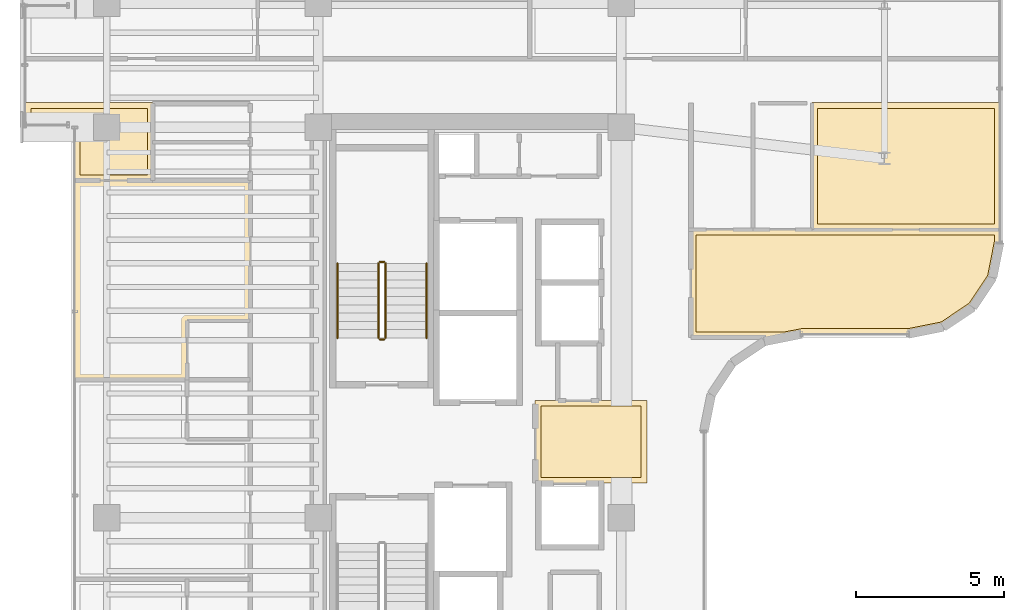
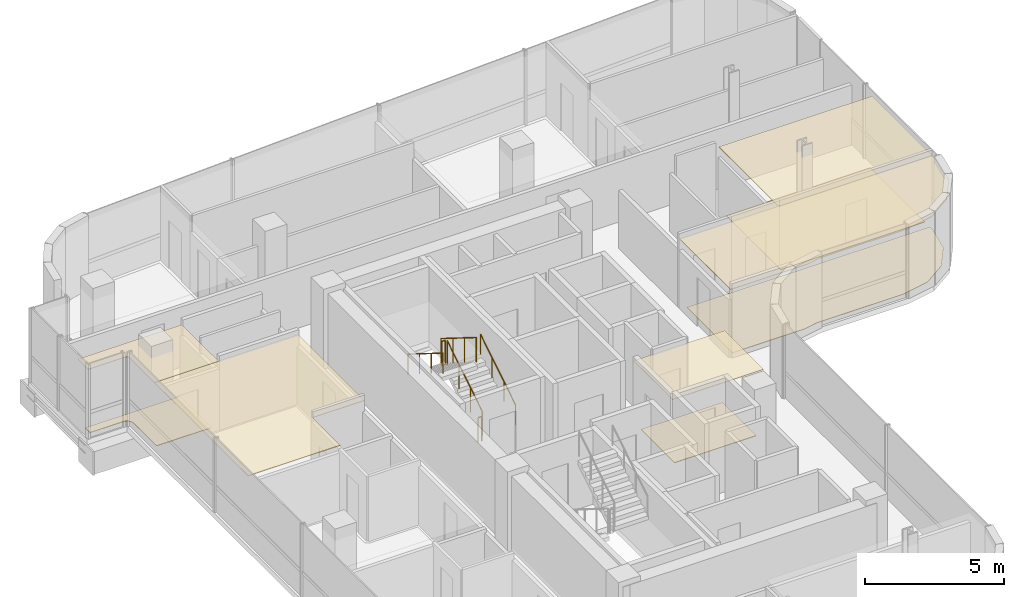
# One storey, part 22 of 23: 9 coverings, 6 railings.
"""IFC4 building model written with IfcOpenShell, lengths in metres."""

from ifc_helpers import new_model, si_unit, direction, frame, origin, origin_2d, place, context, subcontext, project, spatial, polyline, circle, outline, extrude, material, layer, layer_set, type_object, element, save


model = new_model("IFC4")

# Units and contexts
model_context = context("Model", 3, precision=1e-05, world=origin(), true_north=direction((0.0, 1.0)))
body_context = subcontext(model_context, "Body", "Model", "MODEL_VIEW")
ifc_project = project(units=[si_unit("LENGTHUNIT", "METRE"), si_unit("AREAUNIT", "SQUARE_METRE"), si_unit("VOLUMEUNIT", "CUBIC_METRE"), si_unit("PLANEANGLEUNIT", "RADIAN"), si_unit("MASSUNIT", "GRAM", prefix="KILO")], contexts=[model_context])

# Site, building, storey
site_placement = place(None, origin())
site = spatial("IfcSite", under=ifc_project, at=site_placement, CompositionType="ELEMENT")
building_placement = place(site_placement, origin())
building = spatial("IfcBuilding", under=site, at=building_placement, Name="Valdorenza Pilgrim Sanctuary Tower", CompositionType="ELEMENT")
storey_placement = place(building_placement, frame((0.0, 0.0, 226.5)))
storey = spatial("IfcBuildingStorey", under=building, at=storey_placement, Name="L58", CompositionType="ELEMENT", Elevation=226.5)

# Coverings
ifc_material_1 = material(Name="Micro-perforated acoustic mineral ceiling tile", Category="gypsum")
ifc_layer_1 = layer(ifc_material_1, 0.02490234375, Name="Micro-perforated acoustic mineral ceiling tile")
ifc_layer_set_1 = layer_set([ifc_layer_1], Name="Micro-perforated acoustic mineral ceiling tile")
covering_type_1 = type_object("IfcCoveringType", Name="COV-CLG-ACU", PredefinedType="CEILING", material=ifc_layer_set_1)
covering_1_placement = place(storey_placement, frame((0.0, 0.0, 2.9599609375)))
element("IfcCovering", 1, at=covering_1_placement, inside=storey, type_object=covering_type_1, Name="L58 Core A Passenger Lift Lobby Acoustic Ceiling", PredefinedType="CEILING", context=body_context, shape_type="SweptSolid", body=[
    extrude(outline(polyline([(-15.31494140625, 1.35009765625), (-15.31494140625, 1.3515625), (-15.314697265625, 1.352783203125), (-15.314453125, 1.3544921875), (-15.31396484375, 1.355712890625), (-15.313232421875, 1.357177734375), (-15.3125, 1.3583984375), (-15.3115234375, 1.359619140625), (-15.310546875, 1.360595703125), (-15.3095703125, 1.361572265625), (-15.308349609375, 1.362548828125), (-15.30712890625, 1.36328125), (-15.3056640625, 1.364013671875), (-15.304443359375, 1.364501953125), (-15.302978515625, 1.36474609375), (-15.301513671875, 1.364990234375), (-15.300048828125, 1.364990234375), (-11.550048828125, 1.364990234375), (-11.548583984375, 1.364990234375), (-11.547119140625, 1.36474609375), (-11.545654296875, 1.364501953125), (-11.544189453125, 1.364013671875), (-11.54296875, 1.36328125), (-11.541748046875, 1.362548828125), (-11.54052734375, 1.361572265625), (-11.539306640625, 1.360595703125), (-11.538330078125, 1.359619140625), (-11.53759765625, 1.3583984375), (-11.536865234375, 1.357177734375), (-11.5361328125, 1.355712890625), (-11.53564453125, 1.3544921875), (-11.535400390625, 1.352783203125), (-11.53515625, 1.3515625), (-11.534912109375, 1.35009765625), (-11.534912109375, -1.419921875), (-11.53515625, -1.42138671875), (-11.535400390625, -1.4228515625), (-11.53564453125, -1.42431640625), (-11.5361328125, -1.42578125), (-11.536865234375, -1.427001953125), (-11.53759765625, -1.42822265625), (-11.538330078125, -1.429443359375), (-11.539306640625, -1.4306640625), (-11.54052734375, -1.431640625), (-11.541748046875, -1.4326171875), (-11.54296875, -1.43310546875), (-11.544189453125, -1.433837890625), (-11.545654296875, -1.434326171875), (-11.547119140625, -1.434814453125), (-11.548583984375, -1.434814453125), (-11.550048828125, -1.43505859375), (-15.298095703125, -1.43505859375), (-15.299560546875, -1.434814453125), (-15.30078125, -1.434814453125), (-15.302490234375, -1.434326171875), (-15.3037109375, -1.433837890625), (-15.30517578125, -1.43310546875), (-15.306396484375, -1.4326171875), (-15.3076171875, -1.431640625), (-15.30859375, -1.4306640625), (-15.3095703125, -1.429443359375), (-15.310546875, -1.42822265625), (-15.311279296875, -1.427001953125), (-15.31201171875, -1.42578125), (-15.3125, -1.42431640625), (-15.312744140625, -1.4228515625), (-15.31298828125, -1.42138671875), (-15.31298828125, -1.419921875), (-15.31298828125, 1.244384765625), (-15.31298828125, 1.24462890625), (-15.313720703125, 1.24609375), (-15.314208984375, 1.24755859375), (-15.314697265625, 1.2490234375), (-15.31494140625, 1.25048828125), (-15.31494140625, 1.251953125), (-15.31494140625, 1.35009765625)])), origin(), (0.0, 0.0, 1.0), 0.025146484375),
])
covering_2_placement = place(storey_placement, frame((0.0, 0.0, 2.9599609375)))
element("IfcCovering", 2, at=covering_2_placement, inside=storey, type_object=covering_type_1, Name="L58 Pilgrim Scholar Office L58-WN Acoustic Ceiling", PredefinedType="CEILING", context=body_context, shape_type="SweptSolid", body=[
    extrude(outline(polyline([(-28.237060546875, 11.39453125), (-28.237060546875, 10.103759765625), (-28.23681640625, 10.10302734375), (-28.23681640625, 10.1015625), (-28.23681640625, 10.10009765625), (-28.23681640625, 10.098388671875), (-28.237060546875, 10.09814453125), (-28.237060546875, 8.800048828125), (-28.237060546875, 8.798583984375), (-28.2373046875, 8.797119140625), (-28.237548828125, 8.795654296875), (-28.238037109375, 8.794189453125), (-28.23876953125, 8.79296875), (-28.239501953125, 8.791748046875), (-28.240478515625, 8.79052734375), (-28.241455078125, 8.789306640625), (-28.242431640625, 8.788330078125), (-28.24365234375, 8.78759765625), (-28.244873046875, 8.786865234375), (-28.246337890625, 8.7861328125), (-28.24755859375, 8.78564453125), (-28.2490234375, 8.785400390625), (-28.25048828125, 8.78515625), (-28.251953125, 8.784912109375), (-30.889892578125, 8.784912109375), (-30.8916015625, 8.78515625), (-30.892822265625, 8.785400390625), (-30.894287109375, 8.78564453125), (-30.895751953125, 8.7861328125), (-30.897216796875, 8.786865234375), (-30.898193359375, 8.78759765625), (-30.8994140625, 8.788330078125), (-30.900634765625, 8.789306640625), (-30.901611328125, 8.79052734375), (-30.902587890625, 8.791748046875), (-30.9033203125, 8.79296875), (-30.90380859375, 8.794189453125), (-30.904296875, 8.795654296875), (-30.90478515625, 8.797119140625), (-30.90478515625, 8.798583984375), (-30.905029296875, 8.800048828125), (-30.905029296875, 10.599609375), (-30.905517578125, 10.609375), (-30.90673828125, 10.618408203125), (-30.9091796875, 10.627685546875), (-30.912109375, 10.63623046875), (-30.916259765625, 10.644775390625), (-30.9208984375, 10.65283203125), (-30.926513671875, 10.660400390625), (-30.932861328125, 10.667236328125), (-30.939697265625, 10.67333984375), (-30.947265625, 10.678955078125), (-30.955078125, 10.683837890625), (-30.963623046875, 10.687744140625), (-30.972412109375, 10.69091796875), (-30.9814453125, 10.693115234375), (-30.99072265625, 10.694580078125), (-31.00048828125, 10.695068359375), (-32.5400390625, 10.695068359375), (-32.54150390625, 10.695068359375), (-32.54296875, 10.6953125), (-32.54443359375, 10.695556640625), (-32.545654296875, 10.696044921875), (-32.547119140625, 10.69677734375), (-32.54833984375, 10.697509765625), (-32.549560546875, 10.698486328125), (-32.550537109375, 10.699462890625), (-32.551513671875, 10.700439453125), (-32.552490234375, 10.70166015625), (-32.55322265625, 10.702880859375), (-32.553955078125, 10.704345703125), (-32.554443359375, 10.70556640625), (-32.5546875, 10.70703125), (-32.554931640625, 10.70849609375), (-32.554931640625, 10.7099609375), (-32.554931640625, 11.419921875), (-32.554931640625, 11.42138671875), (-32.5546875, 11.4228515625), (-32.554443359375, 11.42431640625), (-32.553955078125, 11.42578125), (-32.55322265625, 11.427001953125), (-32.552490234375, 11.42822265625), (-32.551513671875, 11.429443359375), (-32.550537109375, 11.4306640625), (-32.549560546875, 11.431640625), (-32.54833984375, 11.4326171875), (-32.547119140625, 11.43310546875), (-32.545654296875, 11.433837890625), (-32.54443359375, 11.434326171875), (-32.54296875, 11.434814453125), (-32.54150390625, 11.434814453125), (-32.5400390625, 11.43505859375), (-28.25, 11.43505859375), (-28.24853515625, 11.434814453125), (-28.2470703125, 11.434814453125), (-28.24560546875, 11.434326171875), (-28.244384765625, 11.433837890625), (-28.242919921875, 11.43310546875), (-28.24169921875, 11.4326171875), (-28.240478515625, 11.431640625), (-28.239501953125, 11.4306640625), (-28.23828125, 11.429443359375), (-28.237548828125, 11.42822265625), (-28.23681640625, 11.427001953125), (-28.236083984375, 11.42578125), (-28.235595703125, 11.42431640625), (-28.2353515625, 11.4228515625), (-28.235107421875, 11.42138671875), (-28.235107421875, 11.419921875), (-28.235107421875, 11.402099609375), (-28.235107421875, 11.400390625), (-28.2353515625, 11.39892578125), (-28.235595703125, 11.3974609375), (-28.236083984375, 11.39599609375), (-28.23681640625, 11.394775390625), (-28.237060546875, 11.39453125)])), origin(), (0.0, 0.0, 1.0), 0.025146484375),
])
covering_3_placement = place(storey_placement, frame((0.0, 0.0, 2.9599609375)))
element("IfcCovering", 3, at=covering_3_placement, inside=storey, type_object=covering_type_1, Name="L58 Sanctuary Guest Room L58-W3 Acoustic Ceiling", PredefinedType="CEILING", context=body_context, shape_type="SweptSolid", body=[
    extrude(outline(polyline([(-28.253662109375, 8.81298828125), (-28.253173828125, 8.81298828125), (-28.25146484375, 8.813232421875), (-28.25, 8.813232421875), (-28.24853515625, 8.81298828125), (-28.248291015625, 8.81298828125), (-24.949951171875, 8.81298828125), (-24.948486328125, 8.81298828125), (-24.947021484375, 8.812744140625), (-24.945556640625, 8.8125), (-24.9443359375, 8.81201171875), (-24.94287109375, 8.811279296875), (-24.941650390625, 8.810546875), (-24.9404296875, 8.8095703125), (-24.939453125, 8.80859375), (-24.9384765625, 8.8076171875), (-24.9375, 8.806396484375), (-24.936767578125, 8.80517578125), (-24.93603515625, 8.8037109375), (-24.935546875, 8.802490234375), (-24.935302734375, 8.80078125), (-24.93505859375, 8.799560546875), (-24.93505859375, 8.798095703125), (-24.93505859375, 4.06201171875), (-24.93505859375, 4.060546875), (-24.935302734375, 4.05908203125), (-24.935546875, 4.0576171875), (-24.93603515625, 4.056396484375), (-24.936767578125, 4.054931640625), (-24.9375, 4.0537109375), (-24.9384765625, 4.052490234375), (-24.939453125, 4.051513671875), (-24.9404296875, 4.05029296875), (-24.941650390625, 4.049560546875), (-24.94287109375, 4.048828125), (-24.9443359375, 4.048095703125), (-24.945556640625, 4.047607421875), (-24.947021484375, 4.04736328125), (-24.948486328125, 4.047119140625), (-24.949951171875, 4.047119140625), (-27.074951171875, 4.047119140625), (-27.074951171875, 2.06201171875), (-27.0751953125, 2.060546875), (-27.0751953125, 2.05908203125), (-27.07568359375, 2.0576171875), (-27.076171875, 2.056396484375), (-27.076904296875, 2.054931640625), (-27.077392578125, 2.0537109375), (-27.078369140625, 2.052490234375), (-27.079345703125, 2.051513671875), (-27.08056640625, 2.05029296875), (-27.081787109375, 2.049560546875), (-27.0830078125, 2.048828125), (-27.084228515625, 2.048095703125), (-27.085693359375, 2.047607421875), (-27.087158203125, 2.04736328125), (-27.08837890625, 2.047119140625), (-27.090087890625, 2.047119140625), (-30.889892578125, 2.047119140625), (-30.8916015625, 2.047119140625), (-30.892822265625, 2.04736328125), (-30.894287109375, 2.047607421875), (-30.895751953125, 2.048095703125), (-30.897216796875, 2.048828125), (-30.898193359375, 2.049560546875), (-30.8994140625, 2.05029296875), (-30.900634765625, 2.051513671875), (-30.901611328125, 2.052490234375), (-30.902587890625, 2.0537109375), (-30.9033203125, 2.054931640625), (-30.90380859375, 2.056396484375), (-30.904296875, 2.0576171875), (-30.90478515625, 2.05908203125), (-30.90478515625, 2.060546875), (-30.905029296875, 2.06201171875), (-30.905029296875, 8.798095703125), (-30.90478515625, 8.799560546875), (-30.90478515625, 8.80078125), (-30.904296875, 8.802490234375), (-30.90380859375, 8.8037109375), (-30.9033203125, 8.80517578125), (-30.902587890625, 8.806396484375), (-30.901611328125, 8.8076171875), (-30.900634765625, 8.80859375), (-30.8994140625, 8.8095703125), (-30.898193359375, 8.810546875), (-30.897216796875, 8.811279296875), (-30.895751953125, 8.81201171875), (-30.894287109375, 8.8125), (-30.892822265625, 8.812744140625), (-30.8916015625, 8.81298828125), (-30.889892578125, 8.81298828125), (-28.253662109375, 8.81298828125)])), origin(), (0.0, 0.0, 1.0), 0.025146484375),
])
covering_4_placement = place(storey_placement, frame((0.0, 0.0, 2.9599609375)))
element("IfcCovering", 4, at=covering_4_placement, inside=storey, type_object=covering_type_1, Name="L58 East Sanctuary Apartment L58-E1 Bedroom Acoustic Ceiling", PredefinedType="CEILING", context=body_context, shape_type="SweptSolid", body=[
    extrude(outline(polyline([(-5.965087890625, 11.419921875), (-5.96484375, 11.42138671875), (-5.964599609375, 11.4228515625), (-5.96435546875, 11.42431640625), (-5.9638671875, 11.42578125), (-5.963134765625, 11.427001953125), (-5.96240234375, 11.42822265625), (-5.961669921875, 11.429443359375), (-5.960693359375, 11.4306640625), (-5.95947265625, 11.431640625), (-5.958251953125, 11.4326171875), (-5.95703125, 11.43310546875), (-5.955810546875, 11.433837890625), (-5.954345703125, 11.434326171875), (-5.952880859375, 11.434814453125), (-5.951416015625, 11.434814453125), (-5.949951171875, 11.43505859375), (0.389892578125, 11.43505859375), (0.3916015625, 11.434814453125), (0.392822265625, 11.434814453125), (0.394287109375, 11.434326171875), (0.395751953125, 11.433837890625), (0.397216796875, 11.43310546875), (0.398193359375, 11.4326171875), (0.3994140625, 11.431640625), (0.400634765625, 11.4306640625), (0.401611328125, 11.429443359375), (0.402587890625, 11.42822265625), (0.4033203125, 11.427001953125), (0.40380859375, 11.42578125), (0.404296875, 11.42431640625), (0.40478515625, 11.4228515625), (0.40478515625, 11.42138671875), (0.405029296875, 11.419921875), (0.405029296875, 7.143310546875), (0.40478515625, 7.1416015625), (0.40478515625, 7.140380859375), (0.404296875, 7.138916015625), (0.40380859375, 7.137451171875), (0.4033203125, 7.135986328125), (0.402587890625, 7.135009765625), (0.401611328125, 7.1337890625), (0.400634765625, 7.132568359375), (0.3994140625, 7.131591796875), (0.398193359375, 7.130615234375), (0.397216796875, 7.1298828125), (0.395751953125, 7.12939453125), (0.394287109375, 7.12890625), (0.392822265625, 7.12841796875), (0.3916015625, 7.12841796875), (0.389892578125, 7.128173828125), (-5.949951171875, 7.128173828125), (-5.951416015625, 7.12841796875), (-5.952880859375, 7.12841796875), (-5.954345703125, 7.12890625), (-5.955810546875, 7.12939453125), (-5.95703125, 7.1298828125), (-5.958251953125, 7.130615234375), (-5.95947265625, 7.131591796875), (-5.960693359375, 7.132568359375), (-5.961669921875, 7.1337890625), (-5.96240234375, 7.135009765625), (-5.963134765625, 7.135986328125), (-5.9638671875, 7.137451171875), (-5.96435546875, 7.138916015625), (-5.964599609375, 7.140380859375), (-5.96484375, 7.1416015625), (-5.965087890625, 7.143310546875), (-5.965087890625, 11.419921875)])), origin(), (0.0, 0.0, 1.0), 0.025146484375),
])
covering_5_placement = place(storey_placement, frame((0.0, 0.0, 2.9599609375)))
element("IfcCovering", 5, at=covering_5_placement, inside=storey, type_object=covering_type_1, Name="L58 East Sanctuary Apartment L58-E1 Living Room Acoustic Ceiling", PredefinedType="CEILING", context=body_context, shape_type="SweptSolid", body=[
    extrude(outline(polyline([(-10.06494140625, 7.143310546875), (-10.06494140625, 7.144775390625), (-10.064697265625, 7.14599609375), (-10.064453125, 7.147705078125), (-10.06396484375, 7.14892578125), (-10.063232421875, 7.150390625), (-10.0625, 7.151611328125), (-10.0615234375, 7.152587890625), (-10.060546875, 7.15380859375), (-10.0595703125, 7.15478515625), (-10.058349609375, 7.15576171875), (-10.05712890625, 7.156494140625), (-10.0556640625, 7.156982421875), (-10.054443359375, 7.15771484375), (-10.052978515625, 7.157958984375), (-10.051513671875, 7.158203125), (-10.050048828125, 7.158203125), (-5.951904296875, 7.158203125), (-5.95068359375, 7.158203125), (-5.94921875, 7.157958984375), (-5.94775390625, 7.15771484375), (-5.9462890625, 7.156982421875), (-5.945068359375, 7.156494140625), (-5.944580078125, 7.15625), (0.389892578125, 7.15625), (0.3916015625, 7.156005859375), (0.392822265625, 7.156005859375), (0.394287109375, 7.155517578125), (0.395751953125, 7.155029296875), (0.397216796875, 7.154296875), (0.398193359375, 7.15380859375), (0.3994140625, 7.15283203125), (0.400634765625, 7.15185546875), (0.401611328125, 7.150634765625), (0.402587890625, 7.1494140625), (0.4033203125, 7.148193359375), (0.40380859375, 7.14697265625), (0.404296875, 7.1455078125), (0.40478515625, 7.14404296875), (0.40478515625, 7.142578125), (0.405029296875, 7.14111328125), (0.405029296875, 6.710693359375), (0.40478515625, 6.70947265625), (0.40478515625, 6.7080078125), (0.16748046875, 5.515380859375), (0.1669921875, 5.513916015625), (0.16650390625, 5.5126953125), (0.166015625, 5.51123046875), (0.165283203125, 5.510009765625), (-0.504150390625, 4.50830078125), (-0.5048828125, 4.507080078125), (-0.506103515625, 4.506103515625), (-0.507080078125, 4.5048828125), (-0.50830078125, 4.504150390625), (-1.510009765625, 3.834716796875), (-1.51123046875, 3.833984375), (-1.5126953125, 3.83349609375), (-1.513916015625, 3.8330078125), (-1.515380859375, 3.83251953125), (-2.7080078125, 3.59521484375), (-2.70947265625, 3.59521484375), (-2.710693359375, 3.594970703125), (-6.299560546875, 3.594970703125), (-6.309326171875, 3.594482421875), (-6.31884765625, 3.593017578125), (-6.86083984375, 3.4853515625), (-6.8623046875, 3.485107421875), (-6.86376953125, 3.485107421875), (-10.050048828125, 3.485107421875), (-10.051513671875, 3.485107421875), (-10.052978515625, 3.4853515625), (-10.054443359375, 3.485595703125), (-10.0556640625, 3.486083984375), (-10.05712890625, 3.48681640625), (-10.058349609375, 3.487548828125), (-10.0595703125, 3.48828125), (-10.060546875, 3.489501953125), (-10.0615234375, 3.490478515625), (-10.0625, 3.49169921875), (-10.063232421875, 3.492919921875), (-10.06396484375, 3.494384765625), (-10.064453125, 3.49560546875), (-10.064697265625, 3.4970703125), (-10.06494140625, 3.49853515625), (-10.06494140625, 3.5), (-10.06494140625, 7.143310546875)])), origin(), (0.0, 0.0, 1.0), 0.025146484375),
])
ifc_material_2 = material(Name="Engineered European oak timber flooring", Category="wood")
ifc_layer_2 = layer(ifc_material_2, 0.02197265625, Name="Engineered European oak timber flooring")
ifc_layer_set_2 = layer_set([ifc_layer_2], Name="Engineered European oak timber flooring")
covering_type_2 = type_object("IfcCoveringType", Name="COV-FLR-OAK", PredefinedType="FLOORING", material=ifc_layer_set_2)
covering_6_placement = place(storey_placement, origin())
element("IfcCovering", 6, at=covering_6_placement, inside=storey, type_object=covering_type_2, Name="L58 East Sanctuary Apartment L58-E1 Bedroom Flooring", PredefinedType="FLOORING", context=body_context, shape_type="SweptSolid", body=[
    extrude(outline(polyline([(-5.77001953125, 11.239990234375), (0.2099609375, 11.239990234375), (0.2099609375, 7.3232421875), (-5.77001953125, 7.3232421875), (-5.77001953125, 11.239990234375)])), origin(), (0.0, 0.0, 1.0), 0.02490234375),
])
covering_7_placement = place(storey_placement, origin())
element("IfcCovering", 7, at=covering_7_placement, inside=storey, type_object=covering_type_2, Name="L58 East Sanctuary Apartment L58-E1 Living Room Flooring", PredefinedType="FLOORING", context=body_context, shape_type="SweptSolid", body=[
    extrude(outline(polyline([(-9.8701171875, 6.963134765625), (-5.976806640625, 6.963134765625), (-5.976806640625, 6.963134765625), (-5.9765625, 6.963134765625), (-5.958984375, 6.96142578125), (-5.958740234375, 6.96142578125), (-5.949951171875, 6.961181640625), (0.2099609375, 6.961181640625), (0.2099609375, 6.728515625), (-0.016845703125, 5.588623046875), (-0.646484375, 4.646484375), (-1.588623046875, 4.016845703125), (-2.728515625, 3.7900390625), (-6.300048828125, 3.7900390625), (-6.308837890625, 3.789794921875), (-6.319580078125, 3.789306640625), (-6.337158203125, 3.78759765625), (-6.347900390625, 3.785888671875), (-6.356689453125, 3.784423828125), (-6.881591796875, 3.679931640625), (-9.8701171875, 3.679931640625), (-9.8701171875, 6.963134765625)])), origin(), (0.0, 0.0, 1.0), 0.02490234375),
])
ifc_material_3 = material(Name="Honed travertine stone flooring", Category="masonry")
ifc_layer_3 = layer(ifc_material_3, 0.030029296875, Name="Honed travertine stone flooring")
ifc_layer_set_3 = layer_set([ifc_layer_3], Name="Honed travertine stone flooring")
covering_type_3 = type_object("IfcCoveringType", Name="COV-FLR-TRV", PredefinedType="FLOORING", material=ifc_layer_set_3)
covering_8_placement = place(storey_placement, origin())
element("IfcCovering", 8, at=covering_8_placement, inside=storey, type_object=covering_type_3, Name="L58 Core A Passenger Lift Lobby Flooring", PredefinedType="FLOORING", context=body_context, shape_type="SweptSolid", body=[
    extrude(outline(polyline([(-15.117919921875, 1.169921875), (-11.72998046875, 1.169921875), (-11.72998046875, -1.239990234375), (-15.117919921875, -1.239990234375), (-15.117919921875, 1.169921875)])), origin(), (0.0, 0.0, 1.0), 0.02490234375),
])
covering_9_placement = place(storey_placement, origin())
element("IfcCovering", 9, at=covering_9_placement, inside=storey, type_object=covering_type_3, Name="L58 Pilgrim Scholar Office L58-WN Flooring", PredefinedType="FLOORING", context=body_context, shape_type="SweptSolid", body=[
    extrude(outline(polyline([(-28.431884765625, 11.239990234375), (-28.431884765625, 10.10205078125), (-28.431884765625, 10.10107421875), (-28.431884765625, 10.100341796875), (-28.431884765625, 10.10009765625), (-28.431884765625, 8.97998046875), (-30.7099609375, 8.97998046875), (-30.7099609375, 10.60009765625), (-30.710205078125, 10.60888671875), (-30.710693359375, 10.61962890625), (-30.71240234375, 10.63720703125), (-30.714111328125, 10.64794921875), (-30.717529296875, 10.665283203125), (-30.72021484375, 10.67578125), (-30.725341796875, 10.692626953125), (-30.72900390625, 10.70263671875), (-30.735595703125, 10.718994140625), (-30.740234375, 10.728759765625), (-30.74853515625, 10.744384765625), (-30.754150390625, 10.753662109375), (-30.763916015625, 10.768310546875), (-30.7705078125, 10.777099609375), (-30.781494140625, 10.790771484375), (-30.788818359375, 10.798583984375), (-30.80126953125, 10.811279296875), (-30.809326171875, 10.818359375), (-30.822998046875, 10.82958984375), (-30.831787109375, 10.8359375), (-30.84619140625, 10.845947265625), (-30.855712890625, 10.851318359375), (-30.87109375, 10.859619140625), (-30.880859375, 10.8642578125), (-30.897216796875, 10.87109375), (-30.907470703125, 10.874755859375), (-30.92431640625, 10.8798828125), (-30.934814453125, 10.882568359375), (-30.9521484375, 10.885986328125), (-30.962890625, 10.887451171875), (-30.98046875, 10.889404296875), (-30.9912109375, 10.889892578125), (-31.0, 10.889892578125), (-32.360107421875, 10.889892578125), (-32.360107421875, 11.239990234375), (-28.431884765625, 11.239990234375)])), origin(), (0.0, 0.0, 1.0), 0.02490234375),
])

# Railings
ifc_material_4 = material(Name="Stainless steel Grade 316", Category="steel")
railing_type_1 = type_object("IfcRailingType", Name="RLG-GRD-1120", PredefinedType="GUARDRAIL", material=ifc_material_4)
railing_1_placement = place(storey_placement, frame((-20.3701171875, 3.47998046875, 0.175048828125)))
element("IfcRailing", 10, at=railing_1_placement, inside=storey, type_object=railing_type_1, Name="L58 ST-A1 stair guard 1", PredefinedType="GUARDRAIL", context=body_context, shape_type="SweptSolid", body=[
    extrude(circle(Radius=0.02392578125, at=origin_2d()), frame((0.0, 0.0, 1.076171875), z_axis=(0.0, 0.848007534815, 0.529984170421), x_axis=(-1.0, 0.0, 0.0)), (0.0, 0.0, 1.0), 2.9716796875),
    extrude(circle(Radius=0.02099609375, at=origin_2d()), origin(), (0.0, 0.0, 1.0), 1.052001953125),
    extrude(circle(Radius=0.02099609375, at=origin_2d()), frame((0.0, 0.840087890625, 0.52490234375)), (0.0, 0.0, 1.0), 1.052001953125),
    extrude(circle(Radius=0.02099609375, at=origin_2d()), frame((0.0, 1.679931640625, 1.050048828125)), (0.0, 0.0, 1.0), 1.052001953125),
    extrude(circle(Radius=0.02099609375, at=origin_2d()), frame((0.0, 2.52001953125, 1.574951171875)), (0.0, 0.0, 1.0), 1.052001953125),
])
railing_2_placement = place(storey_placement, frame((-20.419921875, 6.050048828125, 1.75)))
element("IfcRailing", 11, at=railing_2_placement, inside=storey, type_object=railing_type_1, Name="L58 ST-A1 stair guard 2", PredefinedType="GUARDRAIL", context=body_context, shape_type="SweptSolid", body=[
    extrude(circle(Radius=0.02392578125, at=origin_2d()), frame((0.0, 0.0, 1.076171875), z_axis=(-1.0, 0.0, 0.0), x_axis=(0.0, -1.0, 0.0)), (0.0, 0.0, 1.0), 0.150146484375),
    extrude(circle(Radius=0.02099609375, at=origin_2d()), origin(), (0.0, 0.0, 1.0), 1.052001953125),
    extrude(circle(Radius=0.02099609375, at=origin_2d()), frame((-0.150146484375, 0.0, 0.0)), (0.0, 0.0, 1.0), 1.052001953125),
])
railing_3_placement = place(storey_placement, frame((-20.6201171875, 6.0, 1.925048828125)))
element("IfcRailing", 12, at=railing_3_placement, inside=storey, type_object=railing_type_1, Name="L58 ST-A1 stair guard 3", PredefinedType="GUARDRAIL", context=body_context, shape_type="SweptSolid", body=[
    extrude(circle(Radius=0.02392578125, at=origin_2d()), frame((0.0, 0.0, 1.076171875), z_axis=(0.0, -0.848007534815, 0.529984170421), x_axis=(1.0, 0.0, 0.0)), (0.0, 0.0, 1.0), 2.9716796875),
    extrude(circle(Radius=0.02099609375, at=origin_2d()), origin(), (0.0, 0.0, 1.0), 1.052001953125),
    extrude(circle(Radius=0.02099609375, at=origin_2d()), frame((0.0, -0.840087890625, 0.52490234375)), (0.0, 0.0, 1.0), 1.052001953125),
    extrude(circle(Radius=0.02099609375, at=origin_2d()), frame((0.0, -1.679931640625, 1.050048828125)), (0.0, 0.0, 1.0), 1.052001953125),
    extrude(circle(Radius=0.02099609375, at=origin_2d()), frame((0.0, -2.52001953125, 1.574951171875)), (0.0, 0.0, 1.0), 1.052001953125),
])
railing_4_placement = place(storey_placement, frame((-20.419921875, 3.429931640625, 0.0)))
element("IfcRailing", 13, at=railing_4_placement, inside=storey, type_object=railing_type_1, Name="L58 ST-A1 stair guard 4", PredefinedType="GUARDRAIL", context=body_context, shape_type="SweptSolid", body=[
    extrude(circle(Radius=0.02392578125, at=origin_2d()), frame((0.0, 0.0, 1.076171875), z_axis=(-1.0, 0.0, 0.0), x_axis=(0.0, -1.0, 0.0)), (0.0, 0.0, 1.0), 0.150146484375),
    extrude(circle(Radius=0.02099609375, at=origin_2d()), origin(), (0.0, 0.0, 1.0), 1.052001953125),
    extrude(circle(Radius=0.02099609375, at=origin_2d()), frame((-0.150146484375, 0.0, 0.0)), (0.0, 0.0, 1.0), 1.052001953125),
])
ifc_material_5 = material(Name="Brushed stainless steel Grade 316", Category="steel")
railing_type_2 = type_object("IfcRailingType", Name="RLG-HND-920", PredefinedType="HANDRAIL", material=ifc_material_5)
railing_5_placement = place(storey_placement, frame((-18.989990234375, 3.47998046875, 0.175048828125)))
element("IfcRailing", 14, at=railing_5_placement, inside=storey, type_object=railing_type_2, Name="L58 ST-A1 stair handrail 1", PredefinedType="HANDRAIL", context=body_context, shape_type="SweptSolid", body=[
    extrude(circle(Radius=0.02392578125, at=origin_2d()), frame((0.0, 0.0, 0.8759765625), z_axis=(0.0, 0.848007534815, 0.529984170421), x_axis=(-1.0, 0.0, 0.0)), (0.0, 0.0, 1.0), 2.9716796875),
    extrude(circle(Radius=0.02099609375, at=origin_2d()), origin(), (0.0, 0.0, 1.0), 0.851806640625),
    extrude(circle(Radius=0.02099609375, at=origin_2d()), frame((0.0, 0.840087890625, 0.52490234375)), (0.0, 0.0, 1.0), 0.851806640625),
    extrude(circle(Radius=0.02099609375, at=origin_2d()), frame((0.0, 1.679931640625, 1.050048828125)), (0.0, 0.0, 1.0), 0.851806640625),
    extrude(circle(Radius=0.02099609375, at=origin_2d()), frame((0.0, 2.52001953125, 1.574951171875)), (0.0, 0.0, 1.0), 0.851806640625),
])
railing_6_placement = place(storey_placement, frame((-22.0, 6.0, 1.925048828125)))
element("IfcRailing", 15, at=railing_6_placement, inside=storey, type_object=railing_type_2, Name="L58 ST-A1 stair handrail 2", PredefinedType="HANDRAIL", context=body_context, shape_type="SweptSolid", body=[
    extrude(circle(Radius=0.02392578125, at=origin_2d()), frame((0.0, 0.0, 0.8759765625), z_axis=(0.0, -0.848007534815, 0.529984170421), x_axis=(1.0, 0.0, 0.0)), (0.0, 0.0, 1.0), 2.9716796875),
    extrude(circle(Radius=0.02099609375, at=origin_2d()), origin(), (0.0, 0.0, 1.0), 0.851806640625),
    extrude(circle(Radius=0.02099609375, at=origin_2d()), frame((0.0, -0.840087890625, 0.52490234375)), (0.0, 0.0, 1.0), 0.851806640625),
    extrude(circle(Radius=0.02099609375, at=origin_2d()), frame((0.0, -1.679931640625, 1.050048828125)), (0.0, 0.0, 1.0), 0.851806640625),
    extrude(circle(Radius=0.02099609375, at=origin_2d()), frame((0.0, -2.52001953125, 1.574951171875)), (0.0, 0.0, 1.0), 0.851806640625),
])

save(model, "model.ifc")
